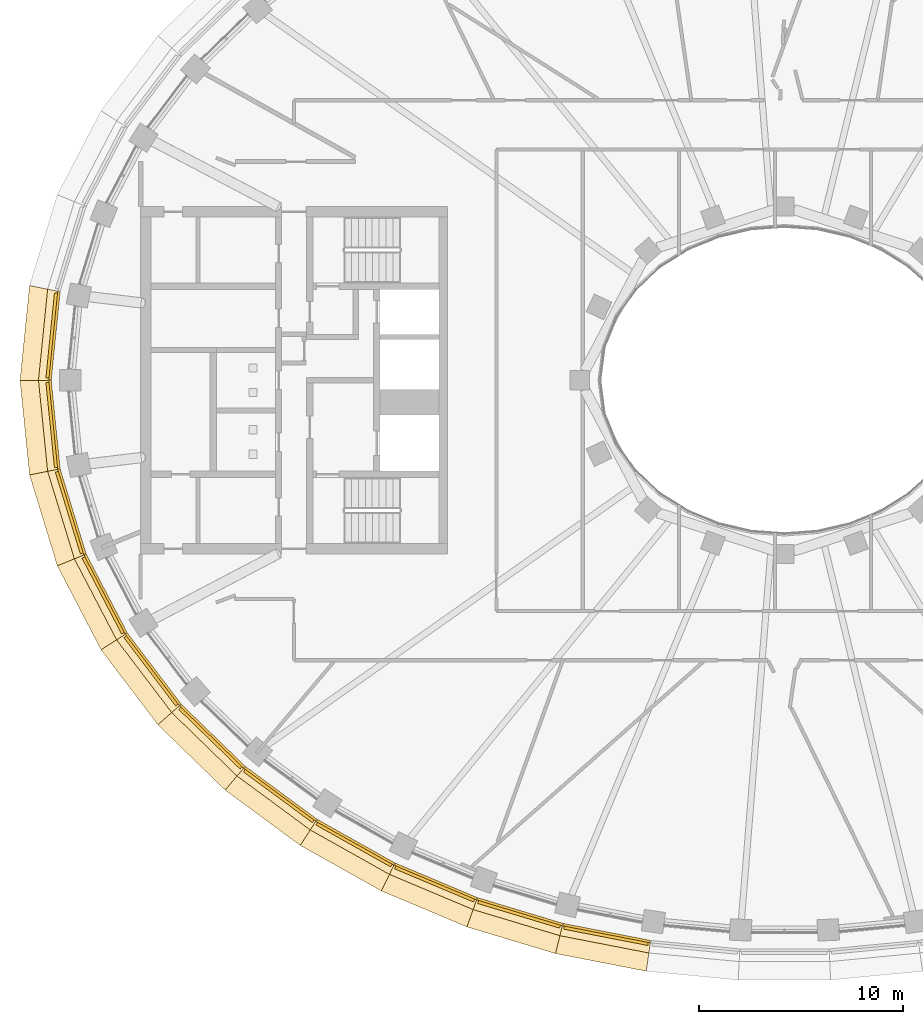
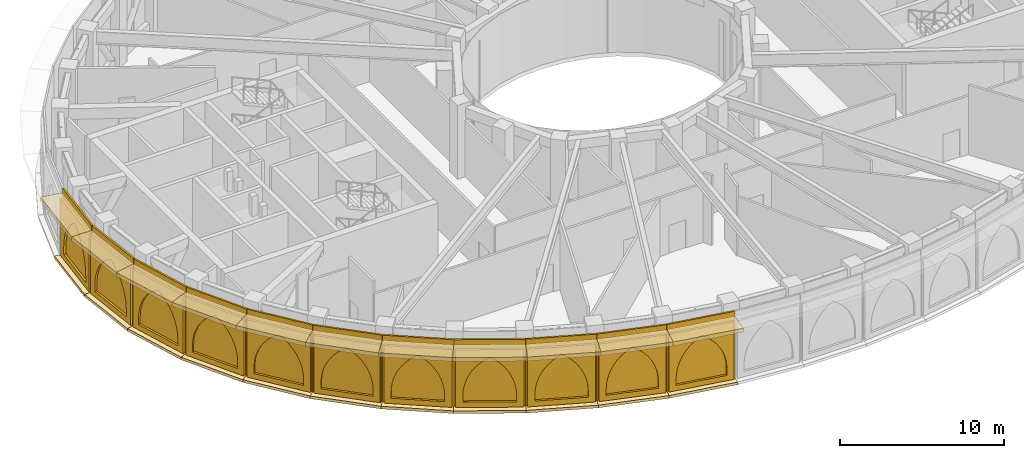
# One storey, part 18 of 23: 44 coverings.
"""IFC4 building model written with IfcOpenShell, lengths in metres."""

import ifcopenshell
import ifcopenshell.guid

model = None  # the IFC model being written
_history = None  # IfcOwnerHistory: only IFC2X3 demands one
_inside = {}  # id of a spatial element -> (the spatial element, [elements in it])
_under = {}  # id of a project, library or spatial element -> (it, [spatial elements below it])
_declared = {}  # id of a project -> (the project, [libraries it declares])
_typed = {}  # id of a type object -> (the type object, [elements of that type])
_made_of = {}  # id of a material, layer set ... -> (it, [elements and type objects made of it])


def new_model(schema):
    """Start an empty IFC model of exactly this schema.

    Asked for "IFC4X3", IfcOpenShell would pick the latest addendum, in which some entities
    have other attributes; the version numbers below select the first issue.
    IFC2X3 requires an IfcOwnerHistory on every rooted entity: one is made here for all.
    """
    global model, _history
    if schema == "IFC4X3":
        model = ifcopenshell.file(schema_version=(4, 3, 0, 0))
    else:
        model = ifcopenshell.file(schema=schema)
    _inside.clear()
    _under.clear()
    _declared.clear()
    _typed.clear()
    _made_of.clear()
    _history = None
    if model.schema == "IFC2X3":
        org = make("IfcOrganization", Name="unknown")
        user = make(
            "IfcPersonAndOrganization",
            ThePerson=make("IfcPerson", FamilyName="unknown"),
            TheOrganization=org,
        )
        app = make(
            "IfcApplication",
            ApplicationDeveloper=org,
            Version="unknown",
            ApplicationFullName="unknown",
            ApplicationIdentifier="unknown",
        )
        _history = make(
            "IfcOwnerHistory",
            OwningUser=user,
            OwningApplication=app,
            ChangeAction="ADDED",
            CreationDate=0,
        )
    return model


def make(cls, **values):
    """One entity of the class cls with the attributes given. An attribute that is None is left unset."""
    return model.create_entity(
        cls, **{name: value for name, value in values.items() if value is not None}
    )


def rooted(cls, **values):
    """An entity with a GlobalId (a new one), such as an element, a storey or a relation."""
    return make(cls, GlobalId=ifcopenshell.guid.new(), OwnerHistory=_history, **values)


def si_unit(unit_type, name, prefix=None):
    """IfcSIUnit, for example si_unit("LENGTHUNIT", "METRE", prefix="MILLI")."""
    return make("IfcSIUnit", UnitType=unit_type, Prefix=prefix, Name=name)


def assignment(units):
    """IfcUnitAssignment: the units of a project."""
    return None if units is None else make("IfcUnitAssignment", Units=units)


def point(xyz):
    """IfcCartesianPoint."""
    return None if xyz is None else make("IfcCartesianPoint", Coordinates=xyz)


def direction(xyz):
    """IfcDirection."""
    return None if xyz is None else make("IfcDirection", DirectionRatios=xyz)


def frame(location, z_axis=None, x_axis=None):
    """IfcAxis2Placement3D, a coordinate frame: its origin and axes. An axis left out is left unset."""
    return make(
        "IfcAxis2Placement3D",
        Location=point(location),
        Axis=direction(z_axis),
        RefDirection=direction(x_axis),
    )


def frame_2d(location, x_axis=None):
    """IfcAxis2Placement2D, a coordinate frame in the plane: its origin and x axis."""
    return make(
        "IfcAxis2Placement2D", Location=point(location), RefDirection=direction(x_axis)
    )


def origin():
    """The frame at (0, 0, 0) with its axes left unset."""
    return frame((0.0, 0.0, 0.0))


def origin_2d():
    """The frame at (0, 0) in the plane with its x axis left unset."""
    return frame_2d((0.0, 0.0))


def place(relative_to, where):
    """IfcLocalPlacement: puts the frame where relative to a parent placement (None: the world)."""
    return make(
        "IfcLocalPlacement", PlacementRelTo=relative_to, RelativePlacement=where
    )


def context(
    kind, dimensions, precision=None, world=None, true_north=None, identifier=None
):
    """IfcGeometricRepresentationContext, for example the 3D "Model" context."""
    return make(
        "IfcGeometricRepresentationContext",
        ContextIdentifier=identifier,
        ContextType=kind,
        CoordinateSpaceDimension=dimensions,
        Precision=precision,
        WorldCoordinateSystem=world,
        TrueNorth=true_north,
    )


def subcontext(parent, identifier, kind, view, scale=None):
    """IfcGeometricRepresentationSubContext, for example "Body" below "Model"."""
    return make(
        "IfcGeometricRepresentationSubContext",
        ContextIdentifier=identifier,
        ContextType=kind,
        ParentContext=parent,
        TargetScale=scale,
        TargetView=view,
    )


def project(units=None, contexts=None):
    """IfcProject with its units and contexts."""
    return rooted(
        "IfcProject",
        Name="project",
        RepresentationContexts=contexts,
        UnitsInContext=assignment(units),
    )


def spatial(cls, under=None, at=None, **own):
    """A site, building, storey or space (cls), placed at a placement, below another one or the project."""
    s = rooted(cls, ObjectPlacement=at, **own)
    if under is not None:
        _under.setdefault(under.id(), (under, []))[1].append(s)
    return s


def polyline(points):
    """IfcPolyline through the points."""
    return make("IfcPolyline", Points=[point(p) for p in points])


def profile(cls, at=None, kind="AREA", **sizes):
    """A parametric profile (cls). Its sizes go by their IFC names, for example OverallWidth=200.0."""
    return make(cls, ProfileType=kind, Position=at, **sizes)


def rectangle(**sizes):
    """IfcRectangleProfileDef."""
    return profile("IfcRectangleProfileDef", **sizes)


def outline(outer, holes=None, kind="AREA"):
    """IfcArbitraryClosedProfileDef: a profile drawn as a closed curve; with holes, ...WithVoids."""
    if holes is None:
        return make("IfcArbitraryClosedProfileDef", ProfileType=kind, OuterCurve=outer)
    return make(
        "IfcArbitraryProfileDefWithVoids",
        ProfileType=kind,
        OuterCurve=outer,
        InnerCurves=holes,
    )


def extrude(swept, where, along, depth):
    """IfcExtrudedAreaSolid: the profile swept, set in the frame where, extruded along a direction by depth."""
    return make(
        "IfcExtrudedAreaSolid",
        SweptArea=swept,
        Position=where,
        ExtrudedDirection=direction(along),
        Depth=depth,
    )


def shape(context_of_items, identifier, shape_type, items):
    """IfcShapeRepresentation: the items that make up one representation, for example the "Body"."""
    return make(
        "IfcShapeRepresentation",
        ContextOfItems=context_of_items,
        RepresentationIdentifier=identifier,
        RepresentationType=shape_type,
        Items=items,
    )


def material(Name=None, Category=None):
    """IfcMaterial."""
    return make("IfcMaterial", Name=Name, Category=Category)


def layer(
    of_material, thickness, ventilated=None, Name=None, Category=None, Priority=None
):
    """IfcMaterialLayer: one layer of a wall or slab, of a material (None: an air gap)."""
    return make(
        "IfcMaterialLayer",
        Material=of_material,
        LayerThickness=thickness,
        IsVentilated=ventilated,
        Name=Name,
        Category=Category,
        Priority=Priority,
    )


def layer_set(layers, Name=None):
    """IfcMaterialLayerSet."""
    return make("IfcMaterialLayerSet", MaterialLayers=layers, LayerSetName=Name)


def made_of(thing, what):
    """Note that an element or type object is made of a material, layer set ...; save() writes the relation."""
    if what is not None:
        _made_of.setdefault(what.id(), (what, []))[1].append(thing)
    return thing


def type_object(cls, material=None, **own):
    """A type object (cls), such as IfcWallType, which elements share."""
    return made_of(rooted(cls, **own), material)


def element(
    cls,
    number,
    at=None,
    inside=None,
    cuts=None,
    type_object=None,
    material=None,
    context=None,
    identifier="Body",
    shape_type=None,
    held_by="IfcProductDefinitionShape",
    body=None,
    shapes=None,
    **own,
):
    """One element of the class cls, such as IfcWall. Its Tag is "e" and its number.

    at: its placement. inside: the storey or other place that contains it. cuts: it is an
    opening in that element (IfcRelVoidsElement). A single representation is given by context,
    identifier, shape_type and body (its items); several are given by shapes. held_by: the class
    of the entity that holds the representations. save() writes the other relations.
    """
    e = rooted(cls, Tag="e%d" % number, ObjectPlacement=at, **own)
    if body is not None:
        shapes = [shape(context, identifier, shape_type, body)]
    if shapes is not None:
        e.Representation = make(held_by, Representations=shapes)
    if inside is not None:
        _inside.setdefault(inside.id(), (inside, []))[1].append(e)
    if cuts is not None:
        rooted(
            "IfcRelVoidsElement", RelatingBuildingElement=cuts, RelatedOpeningElement=e
        )
    if type_object is not None:
        _typed.setdefault(type_object.id(), (type_object, []))[1].append(e)
    return made_of(e, material)


def aggregate(whole, parts):
    """IfcRelAggregates: a whole, such as a stair, and the parts it consists of."""
    return rooted("IfcRelAggregates", RelatingObject=whole, RelatedObjects=parts)


def save(model, path):
    """Write the relations noted so far, then the file.

    IfcRelAggregates (storeys below a building ...), IfcRelContainedInSpatialStructure (elements
    in a storey), IfcRelDefinesByType, IfcRelAssociatesMaterial and IfcRelDeclares: one each for
    every whole, place, type object, material and project.
    """
    for whole, parts in _under.values():
        aggregate(whole, parts)
    for where, things in _inside.values():
        rooted(
            "IfcRelContainedInSpatialStructure",
            RelatedElements=things,
            RelatingStructure=where,
        )
    for kind, things in _typed.values():
        rooted("IfcRelDefinesByType", RelatedObjects=things, RelatingType=kind)
    for what, things in _made_of.values():
        rooted("IfcRelAssociatesMaterial", RelatedObjects=things, RelatingMaterial=what)
    for by, libraries in _declared.values():
        rooted("IfcRelDeclares", RelatingContext=by, RelatedDefinitions=libraries)
    model.write(path)


model = new_model("IFC4")

# Units and contexts
model_context = context("Model", 3, precision=1e-05, world=origin(), true_north=direction((0.0, 1.0)))
body_context = subcontext(model_context, "Body", "Model", "MODEL_VIEW")
ifc_project = project(units=[si_unit("LENGTHUNIT", "METRE"), si_unit("AREAUNIT", "SQUARE_METRE"), si_unit("VOLUMEUNIT", "CUBIC_METRE"), si_unit("PLANEANGLEUNIT", "RADIAN"), si_unit("MASSUNIT", "GRAM", prefix="KILO")], contexts=[model_context])

# Site, building, storey
site_placement = place(None, origin())
site = spatial("IfcSite", under=ifc_project, at=site_placement, CompositionType="ELEMENT")
building_placement = place(site_placement, origin())
building = spatial("IfcBuilding", under=site, at=building_placement, Name="Noorbagh Ring Tower", CompositionType="ELEMENT")
storey_placement = place(building_placement, frame((0.0, 0.0, 285.5)))
storey = spatial("IfcBuildingStorey", under=building, at=storey_placement, Name="L61", CompositionType="ELEMENT", Elevation=285.5)

# Coverings
ifc_material_1 = material(Name="Aluminium 6063-T6 black anodised", Category="aluminium")
ifc_layer_1 = layer(ifc_material_1, 0.1201171875)
ifc_layer_set_1 = layer_set([ifc_layer_1], Name="Aluminium 6063-T6 black anodised")
covering_type_1 = type_object("IfcCoveringType", Name="ENV-LOUVRE-BAND", PredefinedType="CLADDING", material=ifc_layer_set_1)
for number, where, z_axis, x_axis, name in (
    (1, (-35.720947265625, 2.17333984375, -0.300048828125), (0.0, 0.0, 1.0), (-0.100178263068, -0.994969504864, 0.0), "Louvre screen chord 23"),
    (2, (-35.720947265625, -2.17333984375, -0.300048828125), (0.0, 0.0, 1.0), (0.100178263068, -0.994969504864, 0.0), "Louvre screen chord 24"),
):
    element("IfcCovering", number, at=place(storey_placement, frame(where, z_axis=z_axis, x_axis=x_axis)), inside=storey, type_object=covering_type_1, Name=name, ObjectType="LOUVRE", PredefinedType="CLADDING", context=body_context, shape_type="SweptSolid", body=[
        extrude(rectangle(XDim=4.34423828125, YDim=0.1201171875, at=origin_2d()), origin(), (0.0, 0.0, 1.0), 5.5),
    ])
covering_1_placement = place(storey_placement, frame((-34.86376953125, -6.436279296875, -0.300048828125), z_axis=(0.0, 0.0, 1.0), x_axis=(0.292170066961, -0.95636637957, 0.0)))
element("IfcCovering", 3, at=covering_1_placement, inside=storey, type_object=covering_type_1, Name="Louvre screen chord 25", ObjectType="LOUVRE", PredefinedType="CLADDING", context=body_context, shape_type="SweptSolid", body=[
    extrude(rectangle(XDim=4.344970703125, YDim=0.1201171875, at=origin_2d()), origin(), (0.0, 0.0, 1.0), 5.5),
])
covering_2_placement = place(storey_placement, frame((-33.21484375, -10.464111328125, -0.300048828125), z_axis=(0.0, 0.0, 1.0), x_axis=(0.462278064231, -0.88673501754, 0.0)))
element("IfcCovering", 4, at=covering_2_placement, inside=storey, type_object=covering_type_1, Name="Louvre screen chord 26", ObjectType="LOUVRE", PredefinedType="CLADDING", context=body_context, shape_type="SweptSolid", body=[
    extrude(rectangle(XDim=4.345947265625, YDim=0.1201171875, at=origin_2d()), origin(), (0.0, 0.0, 1.0), 5.5),
])
covering_3_placement = place(storey_placement, frame((-30.883544921875, -14.145263671875, -0.300048828125), z_axis=(0.0, 0.0, 1.0), x_axis=(0.604020184358, -0.796969018776, 0.0)))
element("IfcCovering", 5, at=covering_3_placement, inside=storey, type_object=covering_type_1, Name="Louvre screen chord 27", ObjectType="LOUVRE", PredefinedType="CLADDING", context=body_context, shape_type="SweptSolid", body=[
    extrude(rectangle(XDim=4.346923828125, YDim=0.1201171875, at=origin_2d()), origin(), (0.0, 0.0, 1.0), 5.5),
])
covering_4_placement = place(storey_placement, frame((-27.993408203125, -17.41259765625, -0.300048828125), z_axis=(0.0, 0.0, 1.0), x_axis=(0.717224548362, -0.696842125038, 0.0)))
element("IfcCovering", 6, at=covering_4_placement, inside=storey, type_object=covering_type_1, Name="Louvre screen chord 28", ObjectType="LOUVRE", PredefinedType="CLADDING", context=body_context, shape_type="SweptSolid", body=[
    extrude(rectangle(XDim=4.347900390625, YDim=0.1201171875, at=origin_2d()), origin(), (0.0, 0.0, 1.0), 5.5),
])
covering_5_placement = place(storey_placement, frame((-24.662109375, -20.2353515625, -0.300048828125), z_axis=(0.0, 0.0, 1.0), x_axis=(0.805153045326, -0.593067090304, 0.0)))
element("IfcCovering", 7, at=covering_5_placement, inside=storey, type_object=covering_type_1, Name="Louvre screen chord 29", ObjectType="LOUVRE", PredefinedType="CLADDING", context=body_context, shape_type="SweptSolid", body=[
    extrude(rectangle(XDim=4.3486328125, YDim=0.1201171875, at=origin_2d()), origin(), (0.0, 0.0, 1.0), 5.5),
])
covering_6_placement = place(storey_placement, frame((-20.990966796875, -22.604736328125, -0.300048828125), z_axis=(0.0, 0.0, 1.0), x_axis=(0.872044586249, -0.48942643941, 0.0)))
element("IfcCovering", 8, at=covering_6_placement, inside=storey, type_object=covering_type_1, Name="Louvre screen chord 30", ObjectType="LOUVRE", PredefinedType="CLADDING", context=body_context, shape_type="SweptSolid", body=[
    extrude(rectangle(XDim=4.34912109375, YDim=0.1201171875, at=origin_2d()), origin(), (0.0, 0.0, 1.0), 5.5),
])
covering_7_placement = place(storey_placement, frame((-17.0634765625, -24.52490234375, -0.300048828125), z_axis=(0.0, 0.0, 1.0), x_axis=(0.921811566494, -0.387638279686, 0.0)))
element("IfcCovering", 9, at=covering_7_placement, inside=storey, type_object=covering_type_1, Name="Louvre screen chord 31", ObjectType="LOUVRE", PredefinedType="CLADDING", context=body_context, shape_type="SweptSolid", body=[
    extrude(rectangle(XDim=4.349365234375, YDim=0.1201171875, at=origin_2d()), origin(), (0.0, 0.0, 1.0), 5.5),
])
covering_8_placement = place(storey_placement, frame((-12.947998046875, -26.0048828125, -0.300048828125), z_axis=(0.0, 0.0, 1.0), x_axis=(0.957577925467, -0.28817445525, 0.0)))
element("IfcCovering", 10, at=covering_8_placement, inside=storey, type_object=covering_type_1, Name="Louvre screen chord 32", ObjectType="LOUVRE", PredefinedType="CLADDING", context=body_context, shape_type="SweptSolid", body=[
    extrude(rectangle(XDim=4.349609375, YDim=0.1201171875, at=origin_2d()), origin(), (0.0, 0.0, 1.0), 5.5),
])
covering_9_placement = place(storey_placement, frame((-8.700927734375, -27.053955078125, -0.300048828125), z_axis=(0.0, 0.0, 1.0), x_axis=(0.981624952922, -0.190820470077, 0.0)))
element("IfcCovering", 11, at=covering_9_placement, inside=storey, type_object=covering_type_1, Name="Louvre screen chord 33", ObjectType="LOUVRE", PredefinedType="CLADDING", context=body_context, shape_type="SweptSolid", body=[
    extrude(rectangle(XDim=4.349853515625, YDim=0.1201171875, at=origin_2d()), origin(), (0.0, 0.0, 1.0), 5.5),
])
ifc_material_2 = material(Name="Red sandstone cladding", Category="masonry")
ifc_layer_2 = layer(ifc_material_2, 0.14990234375)
ifc_layer_set_2 = layer_set([ifc_layer_2], Name="Red sandstone cladding")
covering_type_2 = type_object("IfcCoveringType", Name="STYLE-BAND-ARCADE", PredefinedType="USERDEFINED", material=ifc_layer_set_2)
for number, where, z_axis, x_axis, name in (
    (12, (-35.720458984375, 4.274169921875, 0.25), (-0.99497222215, 0.100151271334, 0.0), (-0.100151271334, -0.99497222215, 0.0), "Blind arch bay of the band"),
    (13, (-36.13916015625, -0.114501953125, 0.25), (-0.99497222215, -0.100151271334, 0.0), (0.100151271334, -0.99497222215, 0.0), "Blind arch bay of the band"),
):
    element("IfcCovering", number, at=place(storey_placement, frame(where, z_axis=z_axis, x_axis=x_axis)), inside=storey, type_object=covering_type_2, Name=name, ObjectType="ARCH", PredefinedType="USERDEFINED", context=body_context, shape_type="SweptSolid", body=[
        extrude(outline(polyline([(0.0, 0.0), (4.1806640625, 0.0), (4.1806640625, 4.300048828125), (0.0, 4.300048828125), (0.0, 0.0)]), holes=[polyline([(0.449951171875, 0.39990234375), (0.449951171875, 0.908935546875), (0.47802734375, 1.337158203125), (0.561767578125, 1.758056640625), (0.69970703125, 2.164306640625), (0.889404296875, 2.54931640625), (1.1279296875, 2.906005859375), (1.410888671875, 3.228759765625), (1.7333984375, 3.51171875), (2.09033203125, 3.75), (2.447265625, 3.51171875), (2.769775390625, 3.228759765625), (3.052734375, 2.906005859375), (3.291259765625, 2.54931640625), (3.48095703125, 2.164306640625), (3.618896484375, 1.758056640625), (3.70263671875, 1.337158203125), (3.730712890625, 0.908935546875), (3.730712890625, 0.39990234375), (0.449951171875, 0.39990234375)])]), origin(), (0.0, 0.0, -1.0), 0.14990234375),
    ])
covering_10_placement = place(storey_placement, frame((-35.67529296875, -4.498046875, 0.25), z_axis=(-0.956367886414, -0.292165134531, 0.0), x_axis=(0.292165134531, -0.956367886414, 0.0)))
element("IfcCovering", 14, at=covering_10_placement, inside=storey, type_object=covering_type_2, Name="Blind arch bay of the band", ObjectType="ARCH", PredefinedType="USERDEFINED", context=body_context, shape_type="SweptSolid", body=[
    extrude(outline(polyline([(0.0, 0.0), (4.181396484375, 0.0), (4.181396484375, 4.300048828125), (0.0, 4.300048828125), (0.0, 0.0)]), holes=[polyline([(0.449951171875, 0.39990234375), (0.449951171875, 0.908447265625), (0.47802734375, 1.336669921875), (0.561767578125, 1.757568359375), (0.69970703125, 2.1640625), (0.8896484375, 2.549072265625), (1.128173828125, 2.906005859375), (1.4111328125, 3.228515625), (1.73388671875, 3.51171875), (2.0908203125, 3.75), (2.447509765625, 3.51171875), (2.770263671875, 3.228515625), (3.05322265625, 2.906005859375), (3.291748046875, 2.549072265625), (3.4814453125, 2.1640625), (3.619384765625, 1.757568359375), (3.703125, 1.336669921875), (3.731201171875, 0.908447265625), (3.731201171875, 0.39990234375), (0.449951171875, 0.39990234375)])]), origin(), (0.0, 0.0, -1.0), 0.14990234375),
])
covering_11_placement = place(storey_placement, frame((-34.367919921875, -8.706787109375, 0.25), z_axis=(-0.886709716342, -0.462326593379, 0.0), x_axis=(0.462326593379, -0.886709716342, 0.0)))
element("IfcCovering", 15, at=covering_11_placement, inside=storey, type_object=covering_type_2, Name="Blind arch bay of the band", ObjectType="ARCH", PredefinedType="USERDEFINED", context=body_context, shape_type="SweptSolid", body=[
    extrude(outline(polyline([(0.0, 0.0), (4.182373046875, 0.0), (4.182373046875, 4.300048828125), (0.0, 4.300048828125), (0.0, 0.0)]), holes=[polyline([(0.449951171875, 0.39990234375), (0.449951171875, 0.907470703125), (0.47802734375, 1.3359375), (0.561767578125, 1.757080078125), (0.699951171875, 2.16357421875), (0.8896484375, 2.548583984375), (1.12841796875, 2.90576171875), (1.411376953125, 3.228515625), (1.734130859375, 3.51171875), (2.09130859375, 3.75), (2.447998046875, 3.51171875), (2.77099609375, 3.228515625), (3.053955078125, 2.90576171875), (3.29248046875, 2.548583984375), (3.482421875, 2.16357421875), (3.62060546875, 1.757080078125), (3.7041015625, 1.3359375), (3.732421875, 0.907470703125), (3.732421875, 0.39990234375), (0.449951171875, 0.39990234375)])]), origin(), (0.0, 0.0, -1.0), 0.14990234375),
])
covering_12_placement = place(storey_placement, frame((-32.314453125, -12.60498046875, 0.25), z_axis=(-0.796985737541, -0.603998124299, 0.0), x_axis=(0.603998124299, -0.796985737541, 0.0)))
element("IfcCovering", 16, at=covering_12_placement, inside=storey, type_object=covering_type_2, Name="Blind arch bay of the band", ObjectType="ARCH", PredefinedType="USERDEFINED", context=body_context, shape_type="SweptSolid", body=[
    extrude(outline(polyline([(0.0, 0.0), (4.18359375, 0.0), (4.18359375, 4.300048828125), (0.0, 4.300048828125), (0.0, 0.0)]), holes=[polyline([(0.449951171875, 0.39990234375), (0.449951171875, 0.906494140625), (0.47802734375, 1.335205078125), (0.56201171875, 1.75634765625), (0.699951171875, 2.1630859375), (0.889892578125, 2.54833984375), (1.12841796875, 2.905517578125), (1.41162109375, 3.228271484375), (1.734619140625, 3.511474609375), (2.091796875, 3.75), (2.44873046875, 3.511474609375), (2.771728515625, 3.228271484375), (3.054931640625, 2.905517578125), (3.29345703125, 2.54833984375), (3.4833984375, 2.1630859375), (3.62158203125, 1.75634765625), (3.705322265625, 1.335205078125), (3.7333984375, 0.906494140625), (3.7333984375, 0.39990234375), (0.449951171875, 0.39990234375)])]), origin(), (0.0, 0.0, -1.0), 0.14990234375),
])
covering_13_placement = place(storey_placement, frame((-29.640380859375, -16.10546875, 0.25), z_axis=(-0.696851724238, -0.717215221831, 0.0), x_axis=(0.717215221831, -0.696851724238, 0.0)))
element("IfcCovering", 17, at=covering_13_placement, inside=storey, type_object=covering_type_2, Name="Blind arch bay of the band", ObjectType="ARCH", PredefinedType="USERDEFINED", context=body_context, shape_type="SweptSolid", body=[
    extrude(outline(polyline([(0.0, 0.0), (4.184326171875, 0.0), (4.184326171875, 4.300048828125), (0.0, 4.300048828125), (0.0, 0.0)]), holes=[polyline([(0.449951171875, 0.39990234375), (0.449951171875, 0.90576171875), (0.47802734375, 1.33447265625), (0.56201171875, 1.755859375), (0.699951171875, 2.16259765625), (0.889892578125, 2.548095703125), (1.128662109375, 2.9052734375), (1.411865234375, 3.228271484375), (1.73486328125, 3.511474609375), (2.092041015625, 3.75), (2.44921875, 3.511474609375), (2.772216796875, 3.228271484375), (3.0556640625, 2.9052734375), (3.294189453125, 2.548095703125), (3.484130859375, 2.16259765625), (3.622314453125, 1.755859375), (3.706298828125, 1.33447265625), (3.734130859375, 0.90576171875), (3.734130859375, 0.39990234375), (0.449951171875, 0.39990234375)])]), origin(), (0.0, 0.0, -1.0), 0.14990234375),
])
covering_14_placement = place(storey_placement, frame((-26.471435546875, -19.163330078125, 0.25), z_axis=(-0.593079629262, -0.805143809114, 0.0), x_axis=(0.805143809114, -0.593079629262, 0.0)))
element("IfcCovering", 18, at=covering_14_placement, inside=storey, type_object=covering_type_2, Name="Blind arch bay of the band", ObjectType="ARCH", PredefinedType="USERDEFINED", context=body_context, shape_type="SweptSolid", body=[
    extrude(outline(polyline([(0.0, 0.0), (4.184814453125, 0.0), (4.184814453125, 4.300048828125), (0.0, 4.300048828125), (0.0, 0.0)]), holes=[polyline([(0.449951171875, 0.39990234375), (0.449951171875, 0.9052734375), (0.47802734375, 1.333984375), (0.56201171875, 1.75537109375), (0.7001953125, 2.162353515625), (0.89013671875, 2.547607421875), (1.12890625, 2.905029296875), (1.412109375, 3.22802734375), (1.735107421875, 3.511474609375), (2.092529296875, 3.75), (2.44970703125, 3.511474609375), (2.772705078125, 3.22802734375), (3.05615234375, 2.905029296875), (3.294921875, 2.547607421875), (3.48486328125, 2.162353515625), (3.623046875, 1.75537109375), (3.706787109375, 1.333984375), (3.73486328125, 0.9052734375), (3.73486328125, 0.39990234375), (0.449951171875, 0.39990234375)])]), origin(), (0.0, 0.0, -1.0), 0.14990234375),
])
covering_15_placement = place(storey_placement, frame((-22.918701171875, -21.763671875, 0.25), z_axis=(-0.489402470802, -0.872058037961, 0.0), x_axis=(0.872058037961, -0.489402470802, 0.0)))
element("IfcCovering", 19, at=covering_15_placement, inside=storey, type_object=covering_type_2, Name="Blind arch bay of the band", ObjectType="ARCH", PredefinedType="USERDEFINED", context=body_context, shape_type="SweptSolid", body=[
    extrude(outline(polyline([(0.0, 0.0), (4.185302734375, 0.0), (4.185302734375, 4.300048828125), (0.0, 4.300048828125), (0.0, 0.0)]), holes=[polyline([(0.449951171875, 0.39990234375), (0.449951171875, 0.90478515625), (0.47802734375, 1.33349609375), (0.56201171875, 1.755126953125), (0.7001953125, 2.162109375), (0.89013671875, 2.547607421875), (1.12890625, 2.90478515625), (1.412353515625, 3.22802734375), (1.7353515625, 3.51123046875), (2.0927734375, 3.75), (2.4501953125, 3.51123046875), (2.773193359375, 3.22802734375), (3.056396484375, 2.90478515625), (3.29541015625, 2.547607421875), (3.4853515625, 2.162109375), (3.62353515625, 1.755126953125), (3.70751953125, 1.33349609375), (3.735595703125, 0.90478515625), (3.735595703125, 0.39990234375), (0.449951171875, 0.39990234375)])]), origin(), (0.0, 0.0, -1.0), 0.14990234375),
])
covering_16_placement = place(storey_placement, frame((-19.07421875, -23.9072265625, 0.25), z_axis=(-0.387624121421, -0.92181752017, 0.0), x_axis=(0.92181752017, -0.387624121421, 0.0)))
element("IfcCovering", 20, at=covering_16_placement, inside=storey, type_object=covering_type_2, Name="Blind arch bay of the band", ObjectType="ARCH", PredefinedType="USERDEFINED", context=body_context, shape_type="SweptSolid", body=[
    extrude(outline(polyline([(0.0, 0.0), (4.185791015625, 0.0), (4.185791015625, 4.300048828125), (0.0, 4.300048828125), (0.0, 0.0)]), holes=[polyline([(0.449951171875, 0.39990234375), (0.449951171875, 0.904541015625), (0.47802734375, 1.33349609375), (0.56201171875, 1.7548828125), (0.7001953125, 2.161865234375), (0.89013671875, 2.54736328125), (1.12890625, 2.90478515625), (1.412353515625, 3.227783203125), (1.735595703125, 3.51123046875), (2.093017578125, 3.75), (2.4501953125, 3.51123046875), (2.7734375, 3.227783203125), (3.056884765625, 2.90478515625), (3.295654296875, 2.54736328125), (3.485595703125, 2.161865234375), (3.623779296875, 1.7548828125), (3.707763671875, 1.33349609375), (3.73583984375, 0.904541015625), (3.73583984375, 0.39990234375), (0.449951171875, 0.39990234375)])]), origin(), (0.0, 0.0, -1.0), 0.14990234375),
])
covering_17_placement = place(storey_placement, frame((-15.0126953125, -25.602783203125, 0.25), z_axis=(-0.288182515773, -0.957575499688, 0.0), x_axis=(0.957575499688, -0.288182515773, 0.0)))
element("IfcCovering", 21, at=covering_17_placement, inside=storey, type_object=covering_type_2, Name="Blind arch bay of the band", ObjectType="ARCH", PredefinedType="USERDEFINED", context=body_context, shape_type="SweptSolid", body=[
    extrude(outline(polyline([(0.0, 0.0), (4.185791015625, 0.0), (4.185791015625, 4.300048828125), (0.0, 4.300048828125), (0.0, 0.0)]), holes=[polyline([(0.449951171875, 0.39990234375), (0.449951171875, 0.904296875), (0.47802734375, 1.333251953125), (0.56201171875, 1.7548828125), (0.7001953125, 2.161865234375), (0.890380859375, 2.54736328125), (1.129150390625, 2.90478515625), (1.41259765625, 3.227783203125), (1.735595703125, 3.51123046875), (2.093017578125, 3.75), (2.450439453125, 3.51123046875), (2.773681640625, 3.227783203125), (3.056884765625, 2.90478515625), (3.2958984375, 2.54736328125), (3.48583984375, 2.161865234375), (3.6240234375, 1.7548828125), (3.7080078125, 1.333251953125), (3.736083984375, 0.904296875), (3.736083984375, 0.39990234375), (0.449951171875, 0.39990234375)])]), origin(), (0.0, 0.0, -1.0), 0.14990234375),
])
covering_18_placement = place(storey_placement, frame((-10.7958984375, -26.860595703125, 0.25), z_axis=(-0.190819708322, -0.981625101001, 0.0), x_axis=(0.981625101001, -0.190819708322, 0.0)))
element("IfcCovering", 22, at=covering_18_placement, inside=storey, type_object=covering_type_2, Name="Blind arch bay of the band", ObjectType="ARCH", PredefinedType="USERDEFINED", context=body_context, shape_type="SweptSolid", body=[
    extrude(outline(polyline([(0.0, 0.0), (4.186279296875, 0.0), (4.186279296875, 4.300048828125), (0.0, 4.300048828125), (0.0, 0.0)]), holes=[polyline([(0.449951171875, 0.39990234375), (0.449951171875, 0.904052734375), (0.47802734375, 1.3330078125), (0.56201171875, 1.754638671875), (0.7001953125, 2.16162109375), (0.890380859375, 2.547119140625), (1.129150390625, 2.90478515625), (1.41259765625, 3.227783203125), (1.735595703125, 3.51123046875), (2.093017578125, 3.75), (2.450439453125, 3.51123046875), (2.773681640625, 3.227783203125), (3.05712890625, 2.90478515625), (3.2958984375, 2.547119140625), (3.486083984375, 2.16162109375), (3.624267578125, 1.754638671875), (3.7080078125, 1.3330078125), (3.736083984375, 0.904052734375), (3.736083984375, 0.39990234375), (0.449951171875, 0.39990234375)])]), origin(), (0.0, 0.0, -1.0), 0.14990234375),
])
ifc_material_3 = material(Name="Red sandstone eave", Category="masonry")
covering_type_3 = type_object("IfcCoveringType", Name="STYLE-BAND-EAVE", PredefinedType="USERDEFINED", material=ifc_material_3)
covering_19_placement = place(storey_placement, frame((0.0, 0.0, 4.550048828125)))
element("IfcCovering", 23, at=covering_19_placement, inside=storey, type_object=covering_type_3, Name="Chhajja eave", ObjectType="CHHAJJA", PredefinedType="USERDEFINED", context=body_context, shape_type="SweptSolid", body=[
    extrude(outline(polyline([(-35.561279296875, 4.358642578125), (-36.0, 0.0), (-37.406982421875, 0.0), (-36.940185546875, 4.635986328125), (-35.561279296875, 4.358642578125)])), origin(), (0.0, 0.0, 1.0), 0.300048828125),
])
covering_20_placement = place(storey_placement, frame((0.0, 0.0, 4.550048828125)))
element("IfcCovering", 24, at=covering_20_placement, inside=storey, type_object=covering_type_3, Name="Chhajja eave", ObjectType="CHHAJJA", PredefinedType="USERDEFINED", context=body_context, shape_type="SweptSolid", body=[
    extrude(outline(polyline([(-36.0, 0.0), (-35.561279296875, -4.358642578125), (-36.940185546875, -4.635986328125), (-37.406982421875, 0.0), (-36.0, 0.0)])), origin(), (0.0, 0.0, 1.0), 0.300048828125),
])
covering_21_placement = place(storey_placement, frame((0.0, 0.0, 4.550048828125)))
element("IfcCovering", 25, at=covering_21_placement, inside=storey, type_object=covering_type_3, Name="Chhajja eave", ObjectType="CHHAJJA", PredefinedType="USERDEFINED", context=body_context, shape_type="SweptSolid", body=[
    extrude(outline(polyline([(-35.561279296875, -4.358642578125), (-34.281005859375, -8.548828125), (-35.582275390625, -9.081298828125), (-36.940185546875, -4.635986328125), (-35.561279296875, -4.358642578125)])), origin(), (0.0, 0.0, 1.0), 0.300048828125),
])
covering_22_placement = place(storey_placement, frame((0.0, 0.0, 4.550048828125)))
element("IfcCovering", 26, at=covering_22_placement, inside=storey, type_object=covering_type_3, Name="Chhajja eave", ObjectType="CHHAJJA", PredefinedType="USERDEFINED", context=body_context, shape_type="SweptSolid", body=[
    extrude(outline(polyline([(-34.281005859375, -8.548828125), (-32.255126953125, -12.434814453125), (-33.442138671875, -13.186279296875), (-35.582275390625, -9.081298828125), (-34.281005859375, -8.548828125)])), origin(), (0.0, 0.0, 1.0), 0.300048828125),
])
covering_23_placement = place(storey_placement, frame((0.0, 0.0, 4.550048828125)))
element("IfcCovering", 27, at=covering_23_placement, inside=storey, type_object=covering_type_3, Name="Chhajja eave", ObjectType="CHHAJJA", PredefinedType="USERDEFINED", context=body_context, shape_type="SweptSolid", body=[
    extrude(outline(polyline([(-32.255126953125, -12.434814453125), (-29.607666015625, -15.927978515625), (-30.6591796875, -16.8583984375), (-33.442138671875, -13.186279296875), (-32.255126953125, -12.434814453125)])), origin(), (0.0, 0.0, 1.0), 0.300048828125),
])
covering_24_placement = place(storey_placement, frame((0.0, 0.0, 4.550048828125)))
element("IfcCovering", 28, at=covering_24_placement, inside=storey, type_object=covering_type_3, Name="Chhajja eave", ObjectType="CHHAJJA", PredefinedType="USERDEFINED", context=body_context, shape_type="SweptSolid", body=[
    extrude(outline(polyline([(-29.607666015625, -15.927978515625), (-26.463134765625, -18.9833984375), (-27.3701171875, -20.053955078125), (-30.6591796875, -16.8583984375), (-29.607666015625, -15.927978515625)])), origin(), (0.0, 0.0, 1.0), 0.300048828125),
])
covering_25_placement = place(storey_placement, frame((0.0, 0.0, 4.550048828125)))
element("IfcCovering", 29, at=covering_25_placement, inside=storey, type_object=covering_type_3, Name="Chhajja eave", ObjectType="CHHAJJA", PredefinedType="USERDEFINED", context=body_context, shape_type="SweptSolid", body=[
    extrude(outline(polyline([(-26.463134765625, -18.9833984375), (-22.9326171875, -21.583740234375), (-23.693115234375, -22.762451171875), (-27.3701171875, -20.053955078125), (-26.463134765625, -18.9833984375)])), origin(), (0.0, 0.0, 1.0), 0.300048828125),
])
covering_26_placement = place(storey_placement, frame((0.0, 0.0, 4.550048828125)))
element("IfcCovering", 30, at=covering_26_placement, inside=storey, type_object=covering_type_3, Name="Chhajja eave", ObjectType="CHHAJJA", PredefinedType="USERDEFINED", context=body_context, shape_type="SweptSolid", body=[
    extrude(outline(polyline([(-22.9326171875, -21.583740234375), (-19.108154296875, -23.730224609375), (-19.72412109375, -24.989990234375), (-23.693115234375, -22.762451171875), (-22.9326171875, -21.583740234375)])), origin(), (0.0, 0.0, 1.0), 0.300048828125),
])
covering_27_placement = place(storey_placement, frame((0.0, 0.0, 4.550048828125)))
element("IfcCovering", 31, at=covering_27_placement, inside=storey, type_object=covering_type_3, Name="Chhajja eave", ObjectType="CHHAJJA", PredefinedType="USERDEFINED", context=body_context, shape_type="SweptSolid", body=[
    extrude(outline(polyline([(-19.108154296875, -23.730224609375), (-15.065185546875, -25.430419921875), (-15.539794921875, -26.74951171875), (-19.72412109375, -24.989990234375), (-19.108154296875, -23.730224609375)])), origin(), (0.0, 0.0, 1.0), 0.300048828125),
])
covering_28_placement = place(storey_placement, frame((0.0, 0.0, 4.550048828125)))
element("IfcCovering", 32, at=covering_28_placement, inside=storey, type_object=covering_type_3, Name="Chhajja eave", ObjectType="CHHAJJA", PredefinedType="USERDEFINED", context=body_context, shape_type="SweptSolid", body=[
    extrude(outline(polyline([(-15.065185546875, -25.430419921875), (-10.865234375, -26.6943359375), (-11.201416015625, -28.05517578125), (-15.539794921875, -26.74951171875), (-15.065185546875, -25.430419921875)])), origin(), (0.0, 0.0, 1.0), 0.300048828125),
])
covering_29_placement = place(storey_placement, frame((0.0, 0.0, 4.550048828125)))
element("IfcCovering", 33, at=covering_29_placement, inside=storey, type_object=covering_type_3, Name="Chhajja eave", ObjectType="CHHAJJA", PredefinedType="USERDEFINED", context=body_context, shape_type="SweptSolid", body=[
    extrude(outline(polyline([(-10.865234375, -26.6943359375), (-6.559814453125, -27.53125), (-6.76025390625, -28.91845703125), (-11.201416015625, -28.05517578125), (-10.865234375, -26.6943359375)])), origin(), (0.0, 0.0, 1.0), 0.300048828125),
])
ifc_material_4 = material(Name="Red sandstone eave", Category="masonry")
covering_type_4 = type_object("IfcCoveringType", Name="STYLE-BAND-SILL", PredefinedType="USERDEFINED", material=ifc_material_4)
covering_30_placement = place(storey_placement, frame((0.0, 0.0, 0.050048828125)))
element("IfcCovering", 34, at=covering_30_placement, inside=storey, type_object=covering_type_4, Name="Sill ledge", ObjectType="CHHAJJA", PredefinedType="USERDEFINED", context=body_context, shape_type="SweptSolid", body=[
    extrude(outline(polyline([(-35.561279296875, 4.358642578125), (-36.0, 0.0), (-36.50244140625, 0.0), (-36.0537109375, 4.457763671875), (-35.561279296875, 4.358642578125)])), origin(), (0.0, 0.0, 1.0), 0.199951171875),
])
covering_31_placement = place(storey_placement, frame((0.0, 0.0, 0.050048828125)))
element("IfcCovering", 35, at=covering_31_placement, inside=storey, type_object=covering_type_4, Name="Sill ledge", ObjectType="CHHAJJA", PredefinedType="USERDEFINED", context=body_context, shape_type="SweptSolid", body=[
    extrude(outline(polyline([(-36.0, 0.0), (-35.561279296875, -4.358642578125), (-36.0537109375, -4.457763671875), (-36.50244140625, 0.0), (-36.0, 0.0)])), origin(), (0.0, 0.0, 1.0), 0.199951171875),
])
covering_32_placement = place(storey_placement, frame((0.0, 0.0, 0.050048828125)))
element("IfcCovering", 36, at=covering_32_placement, inside=storey, type_object=covering_type_4, Name="Sill ledge", ObjectType="CHHAJJA", PredefinedType="USERDEFINED", context=body_context, shape_type="SweptSolid", body=[
    extrude(outline(polyline([(-35.561279296875, -4.358642578125), (-34.281005859375, -8.548828125), (-34.745849609375, -8.739013671875), (-36.0537109375, -4.457763671875), (-35.561279296875, -4.358642578125)])), origin(), (0.0, 0.0, 1.0), 0.199951171875),
])
covering_33_placement = place(storey_placement, frame((0.0, 0.0, 0.050048828125)))
element("IfcCovering", 37, at=covering_33_placement, inside=storey, type_object=covering_type_4, Name="Sill ledge", ObjectType="CHHAJJA", PredefinedType="USERDEFINED", context=body_context, shape_type="SweptSolid", body=[
    extrude(outline(polyline([(-34.281005859375, -8.548828125), (-32.255126953125, -12.434814453125), (-32.67919921875, -12.703125), (-34.745849609375, -8.739013671875), (-34.281005859375, -8.548828125)])), origin(), (0.0, 0.0, 1.0), 0.199951171875),
])
covering_34_placement = place(storey_placement, frame((0.0, 0.0, 0.050048828125)))
element("IfcCovering", 38, at=covering_34_placement, inside=storey, type_object=covering_type_4, Name="Sill ledge", ObjectType="CHHAJJA", PredefinedType="USERDEFINED", context=body_context, shape_type="SweptSolid", body=[
    extrude(outline(polyline([(-32.255126953125, -12.434814453125), (-29.607666015625, -15.927978515625), (-29.983154296875, -16.260498046875), (-32.67919921875, -12.703125), (-32.255126953125, -12.434814453125)])), origin(), (0.0, 0.0, 1.0), 0.199951171875),
])
covering_35_placement = place(storey_placement, frame((0.0, 0.0, 0.050048828125)))
element("IfcCovering", 39, at=covering_35_placement, inside=storey, type_object=covering_type_4, Name="Sill ledge", ObjectType="CHHAJJA", PredefinedType="USERDEFINED", context=body_context, shape_type="SweptSolid", body=[
    extrude(outline(polyline([(-29.607666015625, -15.927978515625), (-26.463134765625, -18.9833984375), (-26.787109375, -19.365478515625), (-29.983154296875, -16.260498046875), (-29.607666015625, -15.927978515625)])), origin(), (0.0, 0.0, 1.0), 0.199951171875),
])
covering_36_placement = place(storey_placement, frame((0.0, 0.0, 0.050048828125)))
element("IfcCovering", 40, at=covering_36_placement, inside=storey, type_object=covering_type_4, Name="Sill ledge", ObjectType="CHHAJJA", PredefinedType="USERDEFINED", context=body_context, shape_type="SweptSolid", body=[
    extrude(outline(polyline([(-26.463134765625, -18.9833984375), (-22.9326171875, -21.583740234375), (-23.2041015625, -22.004638671875), (-26.787109375, -19.365478515625), (-26.463134765625, -18.9833984375)])), origin(), (0.0, 0.0, 1.0), 0.199951171875),
])
covering_37_placement = place(storey_placement, frame((0.0, 0.0, 0.050048828125)))
element("IfcCovering", 41, at=covering_37_placement, inside=storey, type_object=covering_type_4, Name="Sill ledge", ObjectType="CHHAJJA", PredefinedType="USERDEFINED", context=body_context, shape_type="SweptSolid", body=[
    extrude(outline(polyline([(-22.9326171875, -21.583740234375), (-19.108154296875, -23.730224609375), (-19.328125, -24.18017578125), (-23.2041015625, -22.004638671875), (-22.9326171875, -21.583740234375)])), origin(), (0.0, 0.0, 1.0), 0.199951171875),
])
covering_38_placement = place(storey_placement, frame((0.0, 0.0, 0.050048828125)))
element("IfcCovering", 42, at=covering_38_placement, inside=storey, type_object=covering_type_4, Name="Sill ledge", ObjectType="CHHAJJA", PredefinedType="USERDEFINED", context=body_context, shape_type="SweptSolid", body=[
    extrude(outline(polyline([(-19.108154296875, -23.730224609375), (-15.065185546875, -25.430419921875), (-15.234619140625, -25.901611328125), (-19.328125, -24.18017578125), (-19.108154296875, -23.730224609375)])), origin(), (0.0, 0.0, 1.0), 0.199951171875),
])
covering_39_placement = place(storey_placement, frame((0.0, 0.0, 0.050048828125)))
element("IfcCovering", 43, at=covering_39_placement, inside=storey, type_object=covering_type_4, Name="Sill ledge", ObjectType="CHHAJJA", PredefinedType="USERDEFINED", context=body_context, shape_type="SweptSolid", body=[
    extrude(outline(polyline([(-15.065185546875, -25.430419921875), (-10.865234375, -26.6943359375), (-10.9853515625, -27.180419921875), (-15.234619140625, -25.901611328125), (-15.065185546875, -25.430419921875)])), origin(), (0.0, 0.0, 1.0), 0.199951171875),
])
covering_40_placement = place(storey_placement, frame((0.0, 0.0, 0.050048828125)))
element("IfcCovering", 44, at=covering_40_placement, inside=storey, type_object=covering_type_4, Name="Sill ledge", ObjectType="CHHAJJA", PredefinedType="USERDEFINED", context=body_context, shape_type="SweptSolid", body=[
    extrude(outline(polyline([(-10.865234375, -26.6943359375), (-6.559814453125, -27.53125), (-6.63134765625, -28.026611328125), (-10.9853515625, -27.180419921875), (-10.865234375, -26.6943359375)])), origin(), (0.0, 0.0, 1.0), 0.199951171875),
])

save(model, "model.ifc")
